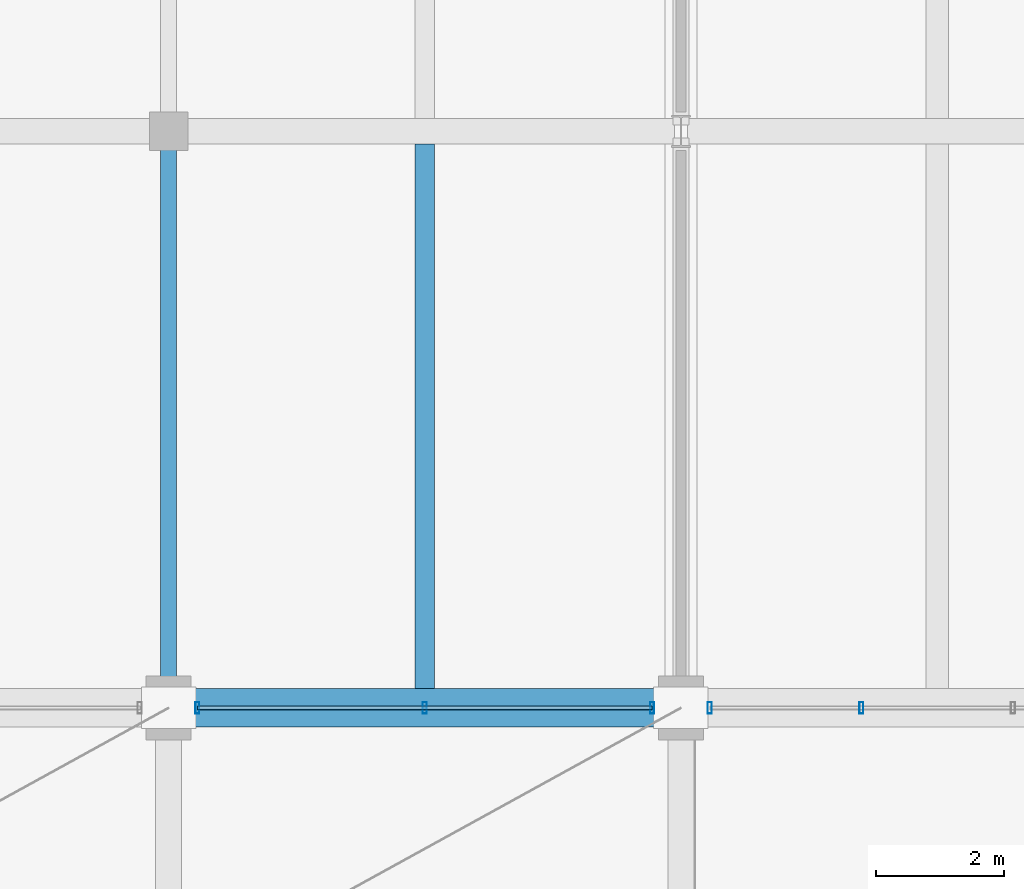
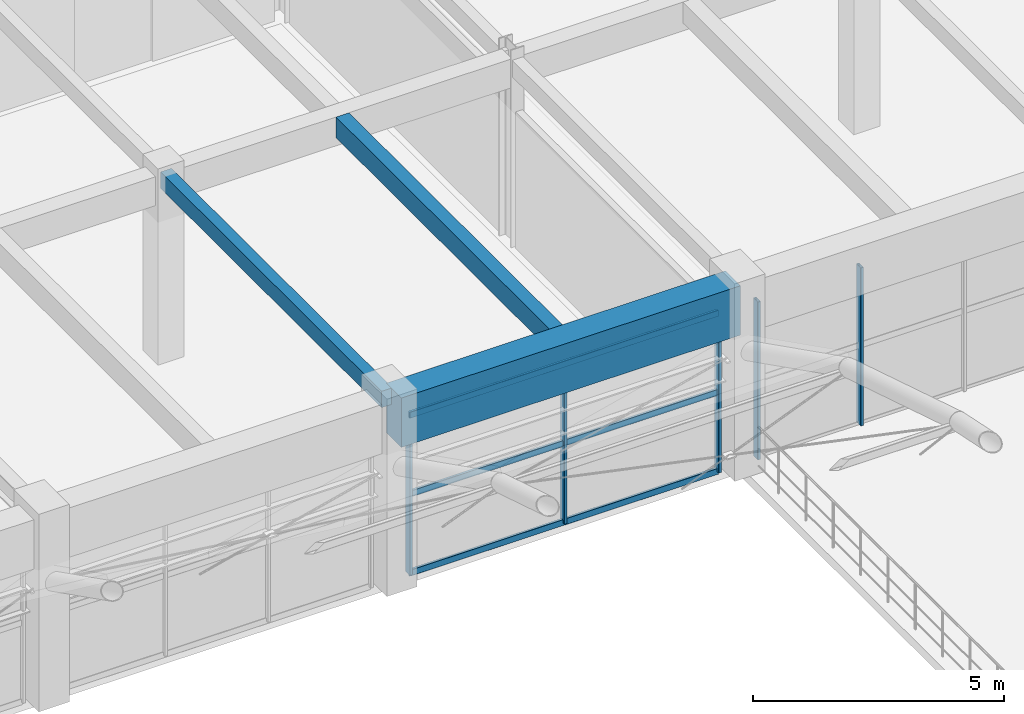
# One storey, part 38 of 144: 8 members, 3 beams, 2 elements without a shape of their own.
"""IFC4 building model written with IfcOpenShell, lengths in metres."""

from ifc_helpers import new_model, si_unit, direction, frame, origin, origin_2d, place, context, subcontext, project, spatial, rectangle, hollow_rectangle, extrude, material, material_profile, profile_set, type_object, element, aggregate, save


model = new_model("IFC4")

# Units and contexts
model_context = context("Model", 3, precision=1e-05, world=origin(), true_north=direction((0.0, 1.0)))
body_context = subcontext(model_context, "Body", "Model", "MODEL_VIEW")
ifc_project = project(units=[si_unit("LENGTHUNIT", "METRE"), si_unit("AREAUNIT", "SQUARE_METRE"), si_unit("VOLUMEUNIT", "CUBIC_METRE"), si_unit("PLANEANGLEUNIT", "RADIAN"), si_unit("MASSUNIT", "GRAM", prefix="KILO")], contexts=[model_context])

# Site, building, storey
site_placement = place(None, origin())
site = spatial("IfcSite", under=ifc_project, at=site_placement, CompositionType="ELEMENT")
building_placement = place(site_placement, origin())
building = spatial("IfcBuilding", under=site, at=building_placement, Name="Varnabhumi Central Station", CompositionType="ELEMENT")
storey_placement = place(building_placement, frame((0.0, 0.0, 4.800048828125)))
storey = spatial("IfcBuildingStorey", under=building, at=storey_placement, Name="L01", CompositionType="ELEMENT", Elevation=4.800048828125)

# Beams
ifc_material_1 = material(Name="Concrete M50", Category="concrete")
ifc_material_profile_1 = material_profile(ifc_material_1, rectangle(XDim=0.60009765625, YDim=1.199951171875, at=origin_2d()), Name="Concrete M50", Category="concrete")
ifc_profile_set_1 = profile_set([ifc_material_profile_1], Name="Concrete M50")
beam_type_1 = type_object("IfcBeamType", Name="BM-RC-1200x600", PredefinedType="BEAM", material=ifc_profile_set_1)
beam_1_placement = place(storey_placement, frame((16.10009765625, 80.0, 3.949951171875), z_axis=(1.0, 0.0, 0.0), x_axis=(0.0, 1.0, 0.0)))
element("IfcBeam", 1, at=beam_1_placement, inside=storey, type_object=beam_type_1, Name="Beam L01-K:3-4", PredefinedType="BEAM", context=body_context, shape_type="SweptSolid", body=[
    extrude(rectangle(XDim=0.60009765625, YDim=1.199951171875, at=origin_2d()), origin(), (0.0, 0.0, 1.0), 7.7998046875),
])
ifc_material_2 = material(Name="Concrete M35", Category="concrete")
ifc_material_profile_2 = material_profile(ifc_material_2, rectangle(XDim=0.25, YDim=0.39990234375, at=origin_2d()), Name="Concrete M35", Category="concrete")
ifc_profile_set_2 = profile_set([ifc_material_profile_2], Name="Concrete M35")
beam_type_2 = type_object("IfcBeamType", Name="BM-RC-250x400", PredefinedType="LINTEL", material=ifc_profile_set_2)
beam_2_placement = place(storey_placement, frame((16.0, 80.10009765625, 4.349853515625), z_axis=(0.0, 1.0, 0.0), x_axis=(-1.0, 0.0, 0.0)))
element("IfcBeam", 2, at=beam_2_placement, inside=storey, type_object=beam_type_2, Name="Beam L01-3:K-L", PredefinedType="LINTEL", context=body_context, shape_type="SweptSolid", body=[
    extrude(rectangle(XDim=0.25, YDim=0.39990234375, at=origin_2d()), origin(), (0.0, 0.0, 1.0), 8.7998046875),
])
ifc_material_3 = material(Name="Concrete M40", Category="concrete")
ifc_material_profile_3 = material_profile(ifc_material_3, rectangle(XDim=0.300048828125, YDim=0.5, at=origin_2d()), Name="Concrete M40", Category="concrete")
ifc_profile_set_3 = profile_set([ifc_material_profile_3], Name="Concrete M40")
beam_type_3 = type_object("IfcBeamType", Name="BM-RC-300x500", PredefinedType="JOIST", material=ifc_profile_set_3)
beam_3_placement = place(storey_placement, frame((20.0, 80.300048828125, 4.300048828125), z_axis=(0.0, 1.0, 0.0), x_axis=(-1.0, 0.0, 0.0)))
element("IfcBeam", 3, at=beam_3_placement, inside=storey, type_object=beam_type_3, Name="Secondary Joist L01-3/4:K-L", PredefinedType="JOIST", context=body_context, shape_type="SweptSolid", body=[
    extrude(rectangle(XDim=0.300048828125, YDim=0.5, at=origin_2d()), origin(), (0.0, 0.0, 1.0), 8.5),
])

# Curtain wall, members
ifc_material_4 = material(Name="Anodised aluminium 6063-T6", Category="aluminium")
curtain_wall_type_1 = type_object("IfcCurtainWallType", Name="CW-SPINE-SCREEN-L0", PredefinedType="NOTDEFINED", material=ifc_material_4)
curtain_wall_1_placement = place(storey_placement, origin())
curtain_wall_1 = element("IfcCurtainWall", 4, at=curtain_wall_1_placement, inside=storey, type_object=curtain_wall_type_1, Name="Curtain Wall CW-NS102", PredefinedType="NOTDEFINED")
ifc_material_profile_4 = material_profile(ifc_material_4, hollow_rectangle(XDim=0.06494140625, YDim=0.179931640625, WallThickness=0.00390625, InnerFilletRadius=0.001953125, OuterFilletRadius=0.006103515625, at=origin_2d()), Name="Anodised aluminium 6063-T6", Category="aluminium")
ifc_profile_set_4 = profile_set([ifc_material_profile_4], Name="Anodised aluminium 6063-T6")
member_type_1 = type_object("IfcMemberType", Name="CW-MUL-180", PredefinedType="MULLION", material=ifc_profile_set_4)
member_1_placement = place(storey_placement, frame((16.449951171875, 80.0, 0.0), z_axis=(0.0, 0.0, 1.0), x_axis=(1.0, 0.0, 0.0)))
member_1 = element("IfcMember", 5, at=member_1_placement, type_object=member_type_1, Name="Curtain Wall Mullion CW-NS102-M1", PredefinedType="MULLION", context=body_context, shape_type="SweptSolid", body=[
    extrude(hollow_rectangle(XDim=0.06494140625, YDim=0.179931640625, WallThickness=0.00390625, InnerFilletRadius=0.001953125, OuterFilletRadius=0.006103515625, at=origin_2d()), origin(), (0.0, 0.0, 1.0), 3.83984375),
])
member_2_placement = place(storey_placement, frame((20.0, 80.0, 0.0), z_axis=(0.0, 0.0, 1.0), x_axis=(1.0, 0.0, 0.0)))
member_2 = element("IfcMember", 6, at=member_2_placement, type_object=member_type_1, Name="Curtain Wall Mullion CW-NS102-M2", PredefinedType="MULLION", context=body_context, shape_type="SweptSolid", body=[
    extrude(hollow_rectangle(XDim=0.06494140625, YDim=0.179931640625, WallThickness=0.00390625, InnerFilletRadius=0.001953125, OuterFilletRadius=0.006103515625, at=origin_2d()), origin(), (0.0, 0.0, 1.0), 3.83984375),
])
member_3_placement = place(storey_placement, frame((23.550048828125, 80.0, 0.0), z_axis=(0.0, 0.0, 1.0), x_axis=(1.0, 0.0, 0.0)))
member_3 = element("IfcMember", 7, at=member_3_placement, type_object=member_type_1, Name="Curtain Wall Mullion CW-NS102-M3", PredefinedType="MULLION", context=body_context, shape_type="SweptSolid", body=[
    extrude(hollow_rectangle(XDim=0.06494140625, YDim=0.179931640625, WallThickness=0.00390625, InnerFilletRadius=0.001953125, OuterFilletRadius=0.006103515625, at=origin_2d()), origin(), (0.0, 0.0, 1.0), 3.83984375),
])

curtain_wall_type_2 = type_object("IfcCurtainWallType", Name="CW-STREET-PORTAL", PredefinedType="NOTDEFINED", material=ifc_material_4)
curtain_wall_2_placement = place(storey_placement, origin())
curtain_wall_2 = element("IfcCurtainWall", 8, at=curtain_wall_2_placement, inside=storey, type_object=curtain_wall_type_2, Name="Curtain Wall CW-NSP103", PredefinedType="NOTDEFINED")
member_4_placement = place(storey_placement, frame((24.449951171875, 80.0, 0.0), z_axis=(0.0, 0.0, 1.0), x_axis=(1.0, 0.0, 0.0)))
member_4 = element("IfcMember", 9, at=member_4_placement, type_object=member_type_1, Name="Curtain Wall Mullion CW-NSP103-M1", PredefinedType="MULLION", context=body_context, shape_type="SweptSolid", body=[
    extrude(hollow_rectangle(XDim=0.06494140625, YDim=0.179931640625, WallThickness=0.00390625, InnerFilletRadius=0.001953125, OuterFilletRadius=0.006103515625, at=origin_2d()), origin(), (0.0, 0.0, 1.0), 3.83984375),
])
member_5_placement = place(storey_placement, frame((26.816650390625, 80.0, 0.0), z_axis=(0.0, 0.0, 1.0), x_axis=(1.0, 0.0, 0.0)))
member_5 = element("IfcMember", 10, at=member_5_placement, type_object=member_type_1, Name="Curtain Wall Mullion CW-NSP103-M2", PredefinedType="MULLION", context=body_context, shape_type="SweptSolid", body=[
    extrude(hollow_rectangle(XDim=0.06494140625, YDim=0.179931640625, WallThickness=0.00390625, InnerFilletRadius=0.001953125, OuterFilletRadius=0.006103515625, at=origin_2d()), origin(), (0.0, 0.0, 1.0), 3.83984375),
])
aggregate(curtain_wall_2, [member_4, member_5])

# Member
ifc_material_profile_5 = material_profile(ifc_material_4, hollow_rectangle(XDim=0.06005859375, YDim=0.14990234375, WallThickness=0.00390625, InnerFilletRadius=0.001953125, OuterFilletRadius=0.006103515625, at=origin_2d()), Name="Anodised aluminium 6063-T6", Category="aluminium")
ifc_profile_set_5 = profile_set([ifc_material_profile_5], Name="Anodised aluminium 6063-T6")
member_type_2 = type_object("IfcMemberType", Name="CW-TR-150", PredefinedType="USERDEFINED", material=ifc_profile_set_5)
member_6_placement = place(storey_placement, frame((16.449951171875, 80.0, 0.0), z_axis=(1.0, 0.0, 0.0), x_axis=(0.0, 1.0, 0.0)))
member_6 = element("IfcMember", 11, at=member_6_placement, type_object=member_type_2, Name="Curtain Wall Transom CW-NS102-T1", ObjectType="TRANSOM", PredefinedType="USERDEFINED", context=body_context, shape_type="SweptSolid", body=[
    extrude(hollow_rectangle(XDim=0.06005859375, YDim=0.14990234375, WallThickness=0.00390625, InnerFilletRadius=0.001953125, OuterFilletRadius=0.006103515625, at=origin_2d()), origin(), (0.0, 0.0, 1.0), 7.10009765625),
])

member_7_placement = place(storey_placement, frame((16.449951171875, 80.0, 1.919921875), z_axis=(1.0, 0.0, 0.0), x_axis=(0.0, 1.0, 0.0)))
member_7 = element("IfcMember", 12, at=member_7_placement, type_object=member_type_2, Name="Curtain Wall Transom CW-NS102-T2", ObjectType="TRANSOM", PredefinedType="USERDEFINED", context=body_context, shape_type="SweptSolid", body=[
    extrude(hollow_rectangle(XDim=0.06005859375, YDim=0.14990234375, WallThickness=0.00390625, InnerFilletRadius=0.001953125, OuterFilletRadius=0.006103515625, at=origin_2d()), origin(), (0.0, 0.0, 1.0), 7.10009765625),
])

member_8_placement = place(storey_placement, frame((16.449951171875, 80.0, 3.83984375), z_axis=(1.0, 0.0, 0.0), x_axis=(0.0, 1.0, 0.0)))
member_8 = element("IfcMember", 13, at=member_8_placement, type_object=member_type_2, Name="Curtain Wall Transom CW-NS102-T3", ObjectType="TRANSOM", PredefinedType="USERDEFINED", context=body_context, shape_type="SweptSolid", body=[
    extrude(hollow_rectangle(XDim=0.06005859375, YDim=0.14990234375, WallThickness=0.00390625, InnerFilletRadius=0.001953125, OuterFilletRadius=0.006103515625, at=origin_2d()), origin(), (0.0, 0.0, 1.0), 7.10009765625),
])

aggregate(curtain_wall_1, [member_1, member_2, member_3, member_6, member_7, member_8])

save(model, "model.ifc")
